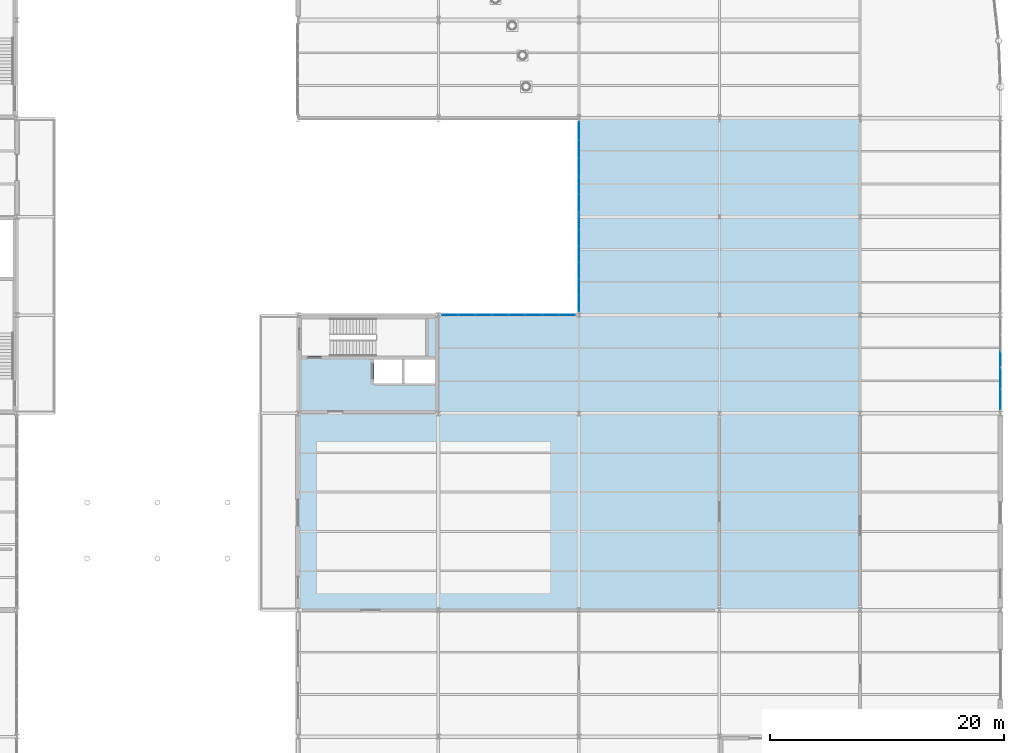
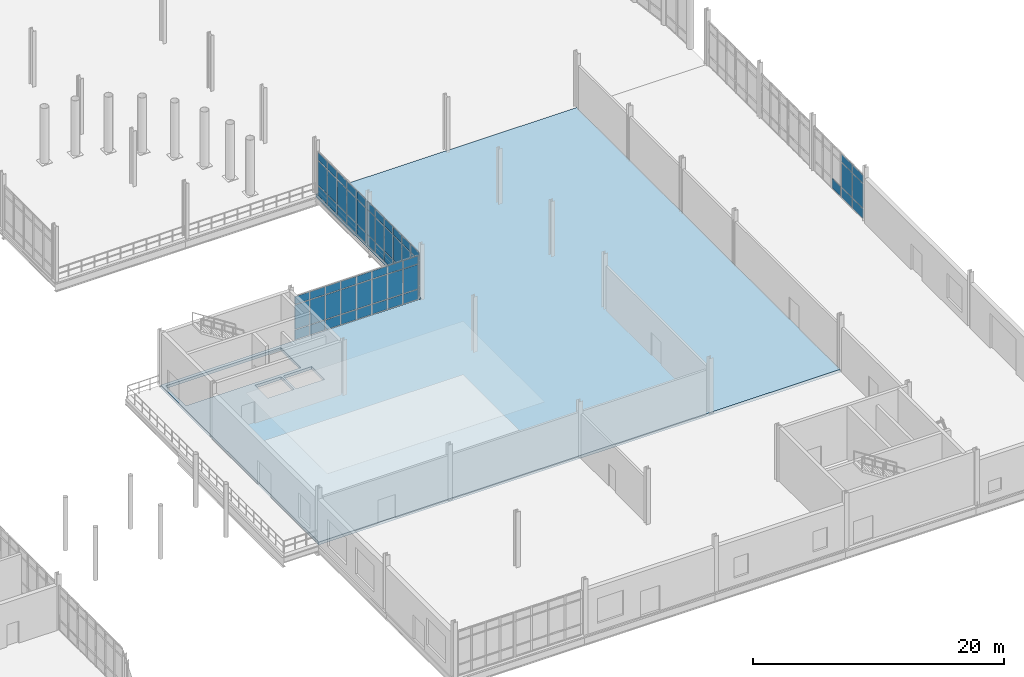
# One storey, part 90 of 111: 64 plates, 1 slab, 5 elements without a shape of their own.
"""IFC4 building model written with IfcOpenShell, lengths in metres."""

from ifc_helpers import new_model, si_unit, direction, frame, origin, origin_2d, place, context, subcontext, project, spatial, polyline, rectangle, outline, extrude, material, layer, layer_set, type_object, element, aggregate, save


model = new_model("IFC4")

# Units and contexts
model_context = context("Model", 3, precision=1e-05, world=origin(), true_north=direction((0.0, 1.0)))
body_context = subcontext(model_context, "Body", "Model", "MODEL_VIEW")
ifc_project = project(units=[si_unit("LENGTHUNIT", "METRE"), si_unit("AREAUNIT", "SQUARE_METRE"), si_unit("VOLUMEUNIT", "CUBIC_METRE"), si_unit("PLANEANGLEUNIT", "RADIAN"), si_unit("MASSUNIT", "GRAM", prefix="KILO"), si_unit("THERMODYNAMICTEMPERATUREUNIT", "KELVIN"), si_unit("POWERUNIT", "WATT")], contexts=[model_context])

# Site, building, storey
site_placement = place(None, origin())
site = spatial("IfcSite", under=ifc_project, at=site_placement, CompositionType="ELEMENT")
building_placement = place(site_placement, origin())
building = spatial("IfcBuilding", under=site, at=building_placement, Name="Tembeka Court Mobility Hub", CompositionType="ELEMENT")
storey_placement = place(building_placement, origin())
storey = spatial("IfcBuildingStorey", under=building, at=storey_placement, Name="L00", CompositionType="ELEMENT", Elevation=0.0)

# Curtain wall, plates
ifc_material_1 = material(Name="Anodised aluminium 6063-T6", Category="aluminium")
ifc_layer_1 = layer(ifc_material_1, 0.159912109375)
ifc_layer_set_1 = layer_set([ifc_layer_1], Name="Anodised aluminium 6063-T6")
curtain_wall_type_1 = type_object("IfcCurtainWallType", Name="CW-SYS04", PredefinedType="USERDEFINED", material=ifc_layer_set_1)
curtain_wall_1_placement = place(storey_placement, origin())
curtain_wall_1 = element("IfcCurtainWall", 1, at=curtain_wall_1_placement, inside=storey, type_object=curtain_wall_type_1, Name="Unitised curtain wall CW04 (CW-L00-095)", ObjectType="UNITISED GLAZING", PredefinedType="USERDEFINED")
ifc_material_2 = material(Name="Laminated solar-control low-E glass", Category="glass")
ifc_layer_2 = layer(ifc_material_2, 0.028076171875)
ifc_layer_set_2 = layer_set([ifc_layer_2], Name="Laminated solar-control low-E glass")
plate_type_1 = type_object("IfcPlateType", Name="PL-CW01", PredefinedType="CURTAIN_PANEL", material=ifc_layer_set_2)
plate_1_placement = place(storey_placement, frame((176.39990234375, 39.587158203125, 0.06494140625), z_axis=(0.0, 0.0, 1.0), x_axis=(0.0, 1.0, 0.0)))
plate_1 = element("IfcPlate", 2, at=plate_1_placement, type_object=plate_type_1, Name="CW04 panel 1.1", PredefinedType="CURTAIN_PANEL", context=body_context, shape_type="SweptSolid", body=[
    extrude(rectangle(XDim=1.6845703125, YDim=0.028076171875, at=origin_2d()), origin(), (0.0, 0.0, 1.0), 0.952392578125),
])
plate_2_placement = place(storey_placement, frame((176.39990234375, 39.587158203125, 1.08251953125), z_axis=(0.0, 0.0, 1.0), x_axis=(0.0, 1.0, 0.0)))
plate_2 = element("IfcPlate", 3, at=plate_2_placement, type_object=plate_type_1, Name="CW04 panel 1.2", PredefinedType="CURTAIN_PANEL", context=body_context, shape_type="SweptSolid", body=[
    extrude(rectangle(XDim=1.6845703125, YDim=0.028076171875, at=origin_2d()), origin(), (0.0, 0.0, 1.0), 2.3701171875),
])
plate_3_placement = place(storey_placement, frame((176.39990234375, 39.587158203125, 3.517578125), z_axis=(0.0, 0.0, 1.0), x_axis=(0.0, 1.0, 0.0)))
plate_3 = element("IfcPlate", 4, at=plate_3_placement, type_object=plate_type_1, Name="CW04 panel 1.3", PredefinedType="CURTAIN_PANEL", context=body_context, shape_type="SweptSolid", body=[
    extrude(rectangle(XDim=1.6845703125, YDim=0.028076171875, at=origin_2d()), origin(), (0.0, 0.0, 1.0), 0.75244140625),
])
plate_4_placement = place(storey_placement, frame((176.39990234375, 41.336669921875, 0.06494140625), z_axis=(0.0, 0.0, 1.0), x_axis=(0.0, 1.0, 0.0)))
plate_4 = element("IfcPlate", 5, at=plate_4_placement, type_object=plate_type_1, Name="CW04 panel 2.1", PredefinedType="CURTAIN_PANEL", context=body_context, shape_type="SweptSolid", body=[
    extrude(rectangle(XDim=1.6845703125, YDim=0.028076171875, at=origin_2d()), origin(), (0.0, 0.0, 1.0), 0.952392578125),
])
plate_5_placement = place(storey_placement, frame((176.39990234375, 41.336669921875, 1.08251953125), z_axis=(0.0, 0.0, 1.0), x_axis=(0.0, 1.0, 0.0)))
plate_5 = element("IfcPlate", 6, at=plate_5_placement, type_object=plate_type_1, Name="CW04 panel 2.2", PredefinedType="CURTAIN_PANEL", context=body_context, shape_type="SweptSolid", body=[
    extrude(rectangle(XDim=1.6845703125, YDim=0.028076171875, at=origin_2d()), origin(), (0.0, 0.0, 1.0), 2.3701171875),
])
plate_6_placement = place(storey_placement, frame((176.39990234375, 41.336669921875, 3.517578125), z_axis=(0.0, 0.0, 1.0), x_axis=(0.0, 1.0, 0.0)))
plate_6 = element("IfcPlate", 7, at=plate_6_placement, type_object=plate_type_1, Name="CW04 panel 2.3", PredefinedType="CURTAIN_PANEL", context=body_context, shape_type="SweptSolid", body=[
    extrude(rectangle(XDim=1.6845703125, YDim=0.028076171875, at=origin_2d()), origin(), (0.0, 0.0, 1.0), 0.75244140625),
])
aggregate(curtain_wall_1, [plate_1, plate_2, plate_3, plate_4, plate_5, plate_6])

ifc_layer_3 = layer(ifc_material_1, 0.159912109375)
ifc_layer_set_3 = layer_set([ifc_layer_3], Name="Anodised aluminium 6063-T6")
curtain_wall_type_2 = type_object("IfcCurtainWallType", Name="CW-SYS33", PredefinedType="USERDEFINED", material=ifc_layer_set_3)
curtain_wall_2_placement = place(storey_placement, origin())
curtain_wall_2 = element("IfcCurtainWall", 8, at=curtain_wall_2_placement, inside=storey, type_object=curtain_wall_type_2, Name="Unitised curtain wall CW33 (CW-L00-101)", ObjectType="UNITISED GLAZING", PredefinedType="USERDEFINED")
plate_7_placement = place(storey_placement, frame((129.4111328125, 46.800048828125, 0.06494140625), z_axis=(0.0, 0.0, 1.0), x_axis=(1.0, 0.0, 0.0)))
plate_7 = element("IfcPlate", 9, at=plate_7_placement, type_object=plate_type_1, Name="CW33 panel 1.1", PredefinedType="CURTAIN_PANEL", context=body_context, shape_type="SweptSolid", body=[
    extrude(rectangle(XDim=1.33251953125, YDim=0.028076171875, at=origin_2d()), origin(), (0.0, 0.0, 1.0), 0.952392578125),
])
plate_8_placement = place(storey_placement, frame((129.4111328125, 46.800048828125, 1.08251953125), z_axis=(0.0, 0.0, 1.0), x_axis=(1.0, 0.0, 0.0)))
plate_8 = element("IfcPlate", 10, at=plate_8_placement, type_object=plate_type_1, Name="CW33 panel 1.2", PredefinedType="CURTAIN_PANEL", context=body_context, shape_type="SweptSolid", body=[
    extrude(rectangle(XDim=1.33251953125, YDim=0.028076171875, at=origin_2d()), origin(), (0.0, 0.0, 1.0), 2.3701171875),
])
plate_9_placement = place(storey_placement, frame((129.4111328125, 46.800048828125, 3.517578125), z_axis=(0.0, 0.0, 1.0), x_axis=(1.0, 0.0, 0.0)))
plate_9 = element("IfcPlate", 11, at=plate_9_placement, type_object=plate_type_1, Name="CW33 panel 1.3", PredefinedType="CURTAIN_PANEL", context=body_context, shape_type="SweptSolid", body=[
    extrude(rectangle(XDim=1.33251953125, YDim=0.028076171875, at=origin_2d()), origin(), (0.0, 0.0, 1.0), 0.75244140625),
])
plate_10_placement = place(storey_placement, frame((130.824951171875, 46.800048828125, 0.06494140625), z_axis=(0.0, 0.0, 1.0), x_axis=(1.0, 0.0, 0.0)))
plate_10 = element("IfcPlate", 12, at=plate_10_placement, type_object=plate_type_1, Name="CW33 panel 2.1", PredefinedType="CURTAIN_PANEL", context=body_context, shape_type="SweptSolid", body=[
    extrude(rectangle(XDim=1.364990234375, YDim=0.028076171875, at=origin_2d()), origin(), (0.0, 0.0, 1.0), 0.952392578125),
])
plate_11_placement = place(storey_placement, frame((130.824951171875, 46.800048828125, 1.08251953125), z_axis=(0.0, 0.0, 1.0), x_axis=(1.0, 0.0, 0.0)))
plate_11 = element("IfcPlate", 13, at=plate_11_placement, type_object=plate_type_1, Name="CW33 panel 2.2", PredefinedType="CURTAIN_PANEL", context=body_context, shape_type="SweptSolid", body=[
    extrude(rectangle(XDim=1.364990234375, YDim=0.028076171875, at=origin_2d()), origin(), (0.0, 0.0, 1.0), 2.3701171875),
])
plate_12_placement = place(storey_placement, frame((130.824951171875, 46.800048828125, 3.517578125), z_axis=(0.0, 0.0, 1.0), x_axis=(1.0, 0.0, 0.0)))
plate_12 = element("IfcPlate", 14, at=plate_12_placement, type_object=plate_type_1, Name="CW33 panel 2.3", PredefinedType="CURTAIN_PANEL", context=body_context, shape_type="SweptSolid", body=[
    extrude(rectangle(XDim=1.364990234375, YDim=0.028076171875, at=origin_2d()), origin(), (0.0, 0.0, 1.0), 0.75244140625),
])
plate_13_placement = place(storey_placement, frame((132.2548828125, 46.800048828125, 0.06494140625), z_axis=(0.0, 0.0, 1.0), x_axis=(1.0, 0.0, 0.0)))
plate_13 = element("IfcPlate", 15, at=plate_13_placement, type_object=plate_type_1, Name="CW33 panel 3.1", PredefinedType="CURTAIN_PANEL", context=body_context, shape_type="SweptSolid", body=[
    extrude(rectangle(XDim=1.364990234375, YDim=0.028076171875, at=origin_2d()), origin(), (0.0, 0.0, 1.0), 0.952392578125),
])
plate_14_placement = place(storey_placement, frame((132.2548828125, 46.800048828125, 1.08251953125), z_axis=(0.0, 0.0, 1.0), x_axis=(1.0, 0.0, 0.0)))
plate_14 = element("IfcPlate", 16, at=plate_14_placement, type_object=plate_type_1, Name="CW33 panel 3.2", PredefinedType="CURTAIN_PANEL", context=body_context, shape_type="SweptSolid", body=[
    extrude(rectangle(XDim=1.364990234375, YDim=0.028076171875, at=origin_2d()), origin(), (0.0, 0.0, 1.0), 2.3701171875),
])
plate_15_placement = place(storey_placement, frame((132.2548828125, 46.800048828125, 3.517578125), z_axis=(0.0, 0.0, 1.0), x_axis=(1.0, 0.0, 0.0)))
plate_15 = element("IfcPlate", 17, at=plate_15_placement, type_object=plate_type_1, Name="CW33 panel 3.3", PredefinedType="CURTAIN_PANEL", context=body_context, shape_type="SweptSolid", body=[
    extrude(rectangle(XDim=1.364990234375, YDim=0.028076171875, at=origin_2d()), origin(), (0.0, 0.0, 1.0), 0.75244140625),
])
plate_16_placement = place(storey_placement, frame((133.68505859375, 46.800048828125, 0.06494140625), z_axis=(0.0, 0.0, 1.0), x_axis=(1.0, 0.0, 0.0)))
plate_16 = element("IfcPlate", 18, at=plate_16_placement, type_object=plate_type_1, Name="CW33 panel 4.1", PredefinedType="CURTAIN_PANEL", context=body_context, shape_type="SweptSolid", body=[
    extrude(rectangle(XDim=1.364990234375, YDim=0.028076171875, at=origin_2d()), origin(), (0.0, 0.0, 1.0), 0.952392578125),
])
plate_17_placement = place(storey_placement, frame((133.68505859375, 46.800048828125, 1.08251953125), z_axis=(0.0, 0.0, 1.0), x_axis=(1.0, 0.0, 0.0)))
plate_17 = element("IfcPlate", 19, at=plate_17_placement, type_object=plate_type_1, Name="CW33 panel 4.2", PredefinedType="CURTAIN_PANEL", context=body_context, shape_type="SweptSolid", body=[
    extrude(rectangle(XDim=1.364990234375, YDim=0.028076171875, at=origin_2d()), origin(), (0.0, 0.0, 1.0), 2.3701171875),
])
plate_18_placement = place(storey_placement, frame((133.68505859375, 46.800048828125, 3.517578125), z_axis=(0.0, 0.0, 1.0), x_axis=(1.0, 0.0, 0.0)))
plate_18 = element("IfcPlate", 20, at=plate_18_placement, type_object=plate_type_1, Name="CW33 panel 4.3", PredefinedType="CURTAIN_PANEL", context=body_context, shape_type="SweptSolid", body=[
    extrude(rectangle(XDim=1.364990234375, YDim=0.028076171875, at=origin_2d()), origin(), (0.0, 0.0, 1.0), 0.75244140625),
])
plate_19_placement = place(storey_placement, frame((135.114990234375, 46.800048828125, 0.06494140625), z_axis=(0.0, 0.0, 1.0), x_axis=(1.0, 0.0, 0.0)))
plate_19 = element("IfcPlate", 21, at=plate_19_placement, type_object=plate_type_1, Name="CW33 panel 5.1", PredefinedType="CURTAIN_PANEL", context=body_context, shape_type="SweptSolid", body=[
    extrude(rectangle(XDim=1.364990234375, YDim=0.028076171875, at=origin_2d()), origin(), (0.0, 0.0, 1.0), 0.952392578125),
])
plate_20_placement = place(storey_placement, frame((135.114990234375, 46.800048828125, 1.08251953125), z_axis=(0.0, 0.0, 1.0), x_axis=(1.0, 0.0, 0.0)))
plate_20 = element("IfcPlate", 22, at=plate_20_placement, type_object=plate_type_1, Name="CW33 panel 5.2", PredefinedType="CURTAIN_PANEL", context=body_context, shape_type="SweptSolid", body=[
    extrude(rectangle(XDim=1.364990234375, YDim=0.028076171875, at=origin_2d()), origin(), (0.0, 0.0, 1.0), 2.3701171875),
])
plate_21_placement = place(storey_placement, frame((135.114990234375, 46.800048828125, 3.517578125), z_axis=(0.0, 0.0, 1.0), x_axis=(1.0, 0.0, 0.0)))
plate_21 = element("IfcPlate", 23, at=plate_21_placement, type_object=plate_type_1, Name="CW33 panel 5.3", PredefinedType="CURTAIN_PANEL", context=body_context, shape_type="SweptSolid", body=[
    extrude(rectangle(XDim=1.364990234375, YDim=0.028076171875, at=origin_2d()), origin(), (0.0, 0.0, 1.0), 0.75244140625),
])
plate_22_placement = place(storey_placement, frame((136.544921875, 46.800048828125, 0.06494140625), z_axis=(0.0, 0.0, 1.0), x_axis=(1.0, 0.0, 0.0)))
plate_22 = element("IfcPlate", 24, at=plate_22_placement, type_object=plate_type_1, Name="CW33 panel 6.1", PredefinedType="CURTAIN_PANEL", context=body_context, shape_type="SweptSolid", body=[
    extrude(rectangle(XDim=1.364990234375, YDim=0.028076171875, at=origin_2d()), origin(), (0.0, 0.0, 1.0), 0.952392578125),
])
plate_23_placement = place(storey_placement, frame((136.544921875, 46.800048828125, 1.08251953125), z_axis=(0.0, 0.0, 1.0), x_axis=(1.0, 0.0, 0.0)))
plate_23 = element("IfcPlate", 25, at=plate_23_placement, type_object=plate_type_1, Name="CW33 panel 6.2", PredefinedType="CURTAIN_PANEL", context=body_context, shape_type="SweptSolid", body=[
    extrude(rectangle(XDim=1.364990234375, YDim=0.028076171875, at=origin_2d()), origin(), (0.0, 0.0, 1.0), 2.3701171875),
])
plate_24_placement = place(storey_placement, frame((136.544921875, 46.800048828125, 3.517578125), z_axis=(0.0, 0.0, 1.0), x_axis=(1.0, 0.0, 0.0)))
plate_24 = element("IfcPlate", 26, at=plate_24_placement, type_object=plate_type_1, Name="CW33 panel 6.3", PredefinedType="CURTAIN_PANEL", context=body_context, shape_type="SweptSolid", body=[
    extrude(rectangle(XDim=1.364990234375, YDim=0.028076171875, at=origin_2d()), origin(), (0.0, 0.0, 1.0), 0.75244140625),
])
plate_25_placement = place(storey_placement, frame((137.97509765625, 46.800048828125, 0.06494140625), z_axis=(0.0, 0.0, 1.0), x_axis=(1.0, 0.0, 0.0)))
plate_25 = element("IfcPlate", 27, at=plate_25_placement, type_object=plate_type_1, Name="CW33 panel 7.1", PredefinedType="CURTAIN_PANEL", context=body_context, shape_type="SweptSolid", body=[
    extrude(rectangle(XDim=1.364990234375, YDim=0.028076171875, at=origin_2d()), origin(), (0.0, 0.0, 1.0), 0.952392578125),
])
plate_26_placement = place(storey_placement, frame((137.97509765625, 46.800048828125, 1.08251953125), z_axis=(0.0, 0.0, 1.0), x_axis=(1.0, 0.0, 0.0)))
plate_26 = element("IfcPlate", 28, at=plate_26_placement, type_object=plate_type_1, Name="CW33 panel 7.2", PredefinedType="CURTAIN_PANEL", context=body_context, shape_type="SweptSolid", body=[
    extrude(rectangle(XDim=1.364990234375, YDim=0.028076171875, at=origin_2d()), origin(), (0.0, 0.0, 1.0), 2.3701171875),
])
plate_27_placement = place(storey_placement, frame((137.97509765625, 46.800048828125, 3.517578125), z_axis=(0.0, 0.0, 1.0), x_axis=(1.0, 0.0, 0.0)))
plate_27 = element("IfcPlate", 29, at=plate_27_placement, type_object=plate_type_1, Name="CW33 panel 7.3", PredefinedType="CURTAIN_PANEL", context=body_context, shape_type="SweptSolid", body=[
    extrude(rectangle(XDim=1.364990234375, YDim=0.028076171875, at=origin_2d()), origin(), (0.0, 0.0, 1.0), 0.75244140625),
])
plate_28_placement = place(storey_placement, frame((139.388671875, 46.800048828125, 0.06494140625), z_axis=(0.0, 0.0, 1.0), x_axis=(1.0, 0.0, 0.0)))
plate_28 = element("IfcPlate", 30, at=plate_28_placement, type_object=plate_type_1, Name="CW33 panel 8.1", PredefinedType="CURTAIN_PANEL", context=body_context, shape_type="SweptSolid", body=[
    extrude(rectangle(XDim=1.33251953125, YDim=0.028076171875, at=origin_2d()), origin(), (0.0, 0.0, 1.0), 0.952392578125),
])
plate_29_placement = place(storey_placement, frame((139.388671875, 46.800048828125, 1.08251953125), z_axis=(0.0, 0.0, 1.0), x_axis=(1.0, 0.0, 0.0)))
plate_29 = element("IfcPlate", 31, at=plate_29_placement, type_object=plate_type_1, Name="CW33 panel 8.2", PredefinedType="CURTAIN_PANEL", context=body_context, shape_type="SweptSolid", body=[
    extrude(rectangle(XDim=1.33251953125, YDim=0.028076171875, at=origin_2d()), origin(), (0.0, 0.0, 1.0), 2.3701171875),
])
plate_30_placement = place(storey_placement, frame((139.388671875, 46.800048828125, 3.517578125), z_axis=(0.0, 0.0, 1.0), x_axis=(1.0, 0.0, 0.0)))
plate_30 = element("IfcPlate", 32, at=plate_30_placement, type_object=plate_type_1, Name="CW33 panel 8.3", PredefinedType="CURTAIN_PANEL", context=body_context, shape_type="SweptSolid", body=[
    extrude(rectangle(XDim=1.33251953125, YDim=0.028076171875, at=origin_2d()), origin(), (0.0, 0.0, 1.0), 0.75244140625),
])
aggregate(curtain_wall_2, [plate_7, plate_8, plate_9, plate_10, plate_11, plate_12, plate_13, plate_14, plate_15, plate_16, plate_17, plate_18, plate_19, plate_20, plate_21, plate_22, plate_23, plate_24, plate_25, plate_26, plate_27, plate_28, plate_29, plate_30])

ifc_layer_4 = layer(ifc_material_1, 0.159912109375)
ifc_layer_set_4 = layer_set([ifc_layer_4], Name="Anodised aluminium 6063-T6")
curtain_wall_type_3 = type_object("IfcCurtainWallType", Name="CW-SYS34", PredefinedType="USERDEFINED", material=ifc_layer_set_4)
curtain_wall_3_placement = place(storey_placement, origin())
curtain_wall_3 = element("IfcCurtainWall", 33, at=curtain_wall_3_placement, inside=storey, type_object=curtain_wall_type_3, Name="Unitised curtain wall CW34 (CW-L00-102)", ObjectType="UNITISED GLAZING", PredefinedType="USERDEFINED")
plate_31_placement = place(storey_placement, frame((140.39990234375, 47.79931640625, 0.06494140625), z_axis=(0.0, 0.0, 1.0), x_axis=(0.0, 1.0, 0.0)))
plate_31 = element("IfcPlate", 34, at=plate_31_placement, type_object=plate_type_1, Name="CW34 panel 1.1", PredefinedType="CURTAIN_PANEL", context=body_context, shape_type="SweptSolid", body=[
    extrude(rectangle(XDim=1.30859375, YDim=0.028076171875, at=origin_2d()), origin(), (0.0, 0.0, 1.0), 0.952392578125),
])
plate_32_placement = place(storey_placement, frame((140.39990234375, 47.79931640625, 1.08251953125), z_axis=(0.0, 0.0, 1.0), x_axis=(0.0, 1.0, 0.0)))
plate_32 = element("IfcPlate", 35, at=plate_32_placement, type_object=plate_type_1, Name="CW34 panel 1.2", PredefinedType="CURTAIN_PANEL", context=body_context, shape_type="SweptSolid", body=[
    extrude(rectangle(XDim=1.30859375, YDim=0.028076171875, at=origin_2d()), origin(), (0.0, 0.0, 1.0), 2.3701171875),
])
plate_33_placement = place(storey_placement, frame((140.39990234375, 47.79931640625, 3.517578125), z_axis=(0.0, 0.0, 1.0), x_axis=(0.0, 1.0, 0.0)))
plate_33 = element("IfcPlate", 36, at=plate_33_placement, type_object=plate_type_1, Name="CW34 panel 1.3", PredefinedType="CURTAIN_PANEL", context=body_context, shape_type="SweptSolid", body=[
    extrude(rectangle(XDim=1.30859375, YDim=0.028076171875, at=origin_2d()), origin(), (0.0, 0.0, 1.0), 0.75244140625),
])
plate_34_placement = place(storey_placement, frame((140.39990234375, 49.18896484375, 0.06494140625), z_axis=(0.0, 0.0, 1.0), x_axis=(0.0, 1.0, 0.0)))
plate_34 = element("IfcPlate", 37, at=plate_34_placement, type_object=plate_type_1, Name="CW34 panel 2.1", PredefinedType="CURTAIN_PANEL", context=body_context, shape_type="SweptSolid", body=[
    extrude(rectangle(XDim=1.341064453125, YDim=0.028076171875, at=origin_2d()), origin(), (0.0, 0.0, 1.0), 0.952392578125),
])
plate_35_placement = place(storey_placement, frame((140.39990234375, 49.18896484375, 1.08251953125), z_axis=(0.0, 0.0, 1.0), x_axis=(0.0, 1.0, 0.0)))
plate_35 = element("IfcPlate", 38, at=plate_35_placement, type_object=plate_type_1, Name="CW34 panel 2.2", PredefinedType="CURTAIN_PANEL", context=body_context, shape_type="SweptSolid", body=[
    extrude(rectangle(XDim=1.341064453125, YDim=0.028076171875, at=origin_2d()), origin(), (0.0, 0.0, 1.0), 2.3701171875),
])
plate_36_placement = place(storey_placement, frame((140.39990234375, 49.18896484375, 3.517578125), z_axis=(0.0, 0.0, 1.0), x_axis=(0.0, 1.0, 0.0)))
plate_36 = element("IfcPlate", 39, at=plate_36_placement, type_object=plate_type_1, Name="CW34 panel 2.3", PredefinedType="CURTAIN_PANEL", context=body_context, shape_type="SweptSolid", body=[
    extrude(rectangle(XDim=1.341064453125, YDim=0.028076171875, at=origin_2d()), origin(), (0.0, 0.0, 1.0), 0.75244140625),
])
plate_37_placement = place(storey_placement, frame((140.39990234375, 50.594970703125, 0.06494140625), z_axis=(0.0, 0.0, 1.0), x_axis=(0.0, 1.0, 0.0)))
plate_37 = element("IfcPlate", 40, at=plate_37_placement, type_object=plate_type_1, Name="CW34 panel 3.1", PredefinedType="CURTAIN_PANEL", context=body_context, shape_type="SweptSolid", body=[
    extrude(rectangle(XDim=1.341064453125, YDim=0.028076171875, at=origin_2d()), origin(), (0.0, 0.0, 1.0), 0.952392578125),
])
plate_38_placement = place(storey_placement, frame((140.39990234375, 50.594970703125, 1.08251953125), z_axis=(0.0, 0.0, 1.0), x_axis=(0.0, 1.0, 0.0)))
plate_38 = element("IfcPlate", 41, at=plate_38_placement, type_object=plate_type_1, Name="CW34 panel 3.2", PredefinedType="CURTAIN_PANEL", context=body_context, shape_type="SweptSolid", body=[
    extrude(rectangle(XDim=1.341064453125, YDim=0.028076171875, at=origin_2d()), origin(), (0.0, 0.0, 1.0), 2.3701171875),
])
plate_39_placement = place(storey_placement, frame((140.39990234375, 50.594970703125, 3.517578125), z_axis=(0.0, 0.0, 1.0), x_axis=(0.0, 1.0, 0.0)))
plate_39 = element("IfcPlate", 42, at=plate_39_placement, type_object=plate_type_1, Name="CW34 panel 3.3", PredefinedType="CURTAIN_PANEL", context=body_context, shape_type="SweptSolid", body=[
    extrude(rectangle(XDim=1.341064453125, YDim=0.028076171875, at=origin_2d()), origin(), (0.0, 0.0, 1.0), 0.75244140625),
])
plate_40_placement = place(storey_placement, frame((140.39990234375, 52.0009765625, 0.06494140625), z_axis=(0.0, 0.0, 1.0), x_axis=(0.0, 1.0, 0.0)))
plate_40 = element("IfcPlate", 43, at=plate_40_placement, type_object=plate_type_1, Name="CW34 panel 4.1", PredefinedType="CURTAIN_PANEL", context=body_context, shape_type="SweptSolid", body=[
    extrude(rectangle(XDim=1.341064453125, YDim=0.028076171875, at=origin_2d()), origin(), (0.0, 0.0, 1.0), 0.952392578125),
])
plate_41_placement = place(storey_placement, frame((140.39990234375, 52.0009765625, 1.08251953125), z_axis=(0.0, 0.0, 1.0), x_axis=(0.0, 1.0, 0.0)))
plate_41 = element("IfcPlate", 44, at=plate_41_placement, type_object=plate_type_1, Name="CW34 panel 4.2", PredefinedType="CURTAIN_PANEL", context=body_context, shape_type="SweptSolid", body=[
    extrude(rectangle(XDim=1.341064453125, YDim=0.028076171875, at=origin_2d()), origin(), (0.0, 0.0, 1.0), 2.3701171875),
])
plate_42_placement = place(storey_placement, frame((140.39990234375, 52.0009765625, 3.517578125), z_axis=(0.0, 0.0, 1.0), x_axis=(0.0, 1.0, 0.0)))
plate_42 = element("IfcPlate", 45, at=plate_42_placement, type_object=plate_type_1, Name="CW34 panel 4.3", PredefinedType="CURTAIN_PANEL", context=body_context, shape_type="SweptSolid", body=[
    extrude(rectangle(XDim=1.341064453125, YDim=0.028076171875, at=origin_2d()), origin(), (0.0, 0.0, 1.0), 0.75244140625),
])
plate_43_placement = place(storey_placement, frame((140.39990234375, 53.406982421875, 0.06494140625), z_axis=(0.0, 0.0, 1.0), x_axis=(0.0, 1.0, 0.0)))
plate_43 = element("IfcPlate", 46, at=plate_43_placement, type_object=plate_type_1, Name="CW34 panel 5.1", PredefinedType="CURTAIN_PANEL", context=body_context, shape_type="SweptSolid", body=[
    extrude(rectangle(XDim=1.341064453125, YDim=0.028076171875, at=origin_2d()), origin(), (0.0, 0.0, 1.0), 0.952392578125),
])
plate_44_placement = place(storey_placement, frame((140.39990234375, 53.406982421875, 1.08251953125), z_axis=(0.0, 0.0, 1.0), x_axis=(0.0, 1.0, 0.0)))
plate_44 = element("IfcPlate", 47, at=plate_44_placement, type_object=plate_type_1, Name="CW34 panel 5.2", PredefinedType="CURTAIN_PANEL", context=body_context, shape_type="SweptSolid", body=[
    extrude(rectangle(XDim=1.341064453125, YDim=0.028076171875, at=origin_2d()), origin(), (0.0, 0.0, 1.0), 2.3701171875),
])
plate_45_placement = place(storey_placement, frame((140.39990234375, 53.406982421875, 3.517578125), z_axis=(0.0, 0.0, 1.0), x_axis=(0.0, 1.0, 0.0)))
plate_45 = element("IfcPlate", 48, at=plate_45_placement, type_object=plate_type_1, Name="CW34 panel 5.3", PredefinedType="CURTAIN_PANEL", context=body_context, shape_type="SweptSolid", body=[
    extrude(rectangle(XDim=1.341064453125, YDim=0.028076171875, at=origin_2d()), origin(), (0.0, 0.0, 1.0), 0.75244140625),
])
plate_46_placement = place(storey_placement, frame((140.39990234375, 54.796630859375, 0.06494140625), z_axis=(0.0, 0.0, 1.0), x_axis=(0.0, 1.0, 0.0)))
plate_46 = element("IfcPlate", 49, at=plate_46_placement, type_object=plate_type_1, Name="CW34 panel 6.1", PredefinedType="CURTAIN_PANEL", context=body_context, shape_type="SweptSolid", body=[
    extrude(rectangle(XDim=1.30859375, YDim=0.028076171875, at=origin_2d()), origin(), (0.0, 0.0, 1.0), 0.952392578125),
])
plate_47_placement = place(storey_placement, frame((140.39990234375, 54.796630859375, 1.08251953125), z_axis=(0.0, 0.0, 1.0), x_axis=(0.0, 1.0, 0.0)))
plate_47 = element("IfcPlate", 50, at=plate_47_placement, type_object=plate_type_1, Name="CW34 panel 6.2", PredefinedType="CURTAIN_PANEL", context=body_context, shape_type="SweptSolid", body=[
    extrude(rectangle(XDim=1.30859375, YDim=0.028076171875, at=origin_2d()), origin(), (0.0, 0.0, 1.0), 2.3701171875),
])
plate_48_placement = place(storey_placement, frame((140.39990234375, 54.796630859375, 3.517578125), z_axis=(0.0, 0.0, 1.0), x_axis=(0.0, 1.0, 0.0)))
plate_48 = element("IfcPlate", 51, at=plate_48_placement, type_object=plate_type_1, Name="CW34 panel 6.3", PredefinedType="CURTAIN_PANEL", context=body_context, shape_type="SweptSolid", body=[
    extrude(rectangle(XDim=1.30859375, YDim=0.028076171875, at=origin_2d()), origin(), (0.0, 0.0, 1.0), 0.75244140625),
])
aggregate(curtain_wall_3, [plate_31, plate_32, plate_33, plate_34, plate_35, plate_36, plate_37, plate_38, plate_39, plate_40, plate_41, plate_42, plate_43, plate_44, plate_45, plate_46, plate_47, plate_48])

ifc_layer_5 = layer(ifc_material_1, 0.159912109375)
ifc_layer_set_5 = layer_set([ifc_layer_5], Name="Anodised aluminium 6063-T6")
curtain_wall_type_4 = type_object("IfcCurtainWallType", Name="CW-SYS35", PredefinedType="USERDEFINED", material=ifc_layer_set_5)
curtain_wall_4_placement = place(storey_placement, origin())
curtain_wall_4 = element("IfcCurtainWall", 52, at=curtain_wall_4_placement, inside=storey, type_object=curtain_wall_type_4, Name="Unitised curtain wall CW35 (CW-L00-103)", ObjectType="UNITISED GLAZING", PredefinedType="USERDEFINED")
plate_49_placement = place(storey_placement, frame((140.39990234375, 56.3486328125, 0.06494140625), z_axis=(0.0, 0.0, 1.0), x_axis=(0.0, 1.0, 0.0)))
plate_49 = element("IfcPlate", 53, at=plate_49_placement, type_object=plate_type_1, Name="CW35 panel 1.1", PredefinedType="CURTAIN_PANEL", context=body_context, shape_type="SweptSolid", body=[
    extrude(rectangle(XDim=1.455322265625, YDim=0.028076171875, at=origin_2d()), origin(), (0.0, 0.0, 1.0), 0.952392578125),
])
plate_50_placement = place(storey_placement, frame((140.39990234375, 56.3486328125, 1.08251953125), z_axis=(0.0, 0.0, 1.0), x_axis=(0.0, 1.0, 0.0)))
plate_50 = element("IfcPlate", 54, at=plate_50_placement, type_object=plate_type_1, Name="CW35 panel 1.2", PredefinedType="CURTAIN_PANEL", context=body_context, shape_type="SweptSolid", body=[
    extrude(rectangle(XDim=1.455322265625, YDim=0.028076171875, at=origin_2d()), origin(), (0.0, 0.0, 1.0), 2.3701171875),
])
plate_51_placement = place(storey_placement, frame((140.39990234375, 56.3486328125, 3.517578125), z_axis=(0.0, 0.0, 1.0), x_axis=(0.0, 1.0, 0.0)))
plate_51 = element("IfcPlate", 55, at=plate_51_placement, type_object=plate_type_1, Name="CW35 panel 1.3", PredefinedType="CURTAIN_PANEL", context=body_context, shape_type="SweptSolid", body=[
    extrude(rectangle(XDim=1.455322265625, YDim=0.028076171875, at=origin_2d()), origin(), (0.0, 0.0, 1.0), 0.75244140625),
])
plate_52_placement = place(storey_placement, frame((140.39990234375, 57.88525390625, 0.06494140625), z_axis=(0.0, 0.0, 1.0), x_axis=(0.0, 1.0, 0.0)))
plate_52 = element("IfcPlate", 56, at=plate_52_placement, type_object=plate_type_1, Name="CW35 panel 2.1", PredefinedType="CURTAIN_PANEL", context=body_context, shape_type="SweptSolid", body=[
    extrude(rectangle(XDim=1.48779296875, YDim=0.028076171875, at=origin_2d()), origin(), (0.0, 0.0, 1.0), 0.952392578125),
])
plate_53_placement = place(storey_placement, frame((140.39990234375, 57.88525390625, 1.08251953125), z_axis=(0.0, 0.0, 1.0), x_axis=(0.0, 1.0, 0.0)))
plate_53 = element("IfcPlate", 57, at=plate_53_placement, type_object=plate_type_1, Name="CW35 panel 2.2", PredefinedType="CURTAIN_PANEL", context=body_context, shape_type="SweptSolid", body=[
    extrude(rectangle(XDim=1.48779296875, YDim=0.028076171875, at=origin_2d()), origin(), (0.0, 0.0, 1.0), 2.3701171875),
])
plate_54_placement = place(storey_placement, frame((140.39990234375, 57.88525390625, 3.517578125), z_axis=(0.0, 0.0, 1.0), x_axis=(0.0, 1.0, 0.0)))
plate_54 = element("IfcPlate", 58, at=plate_54_placement, type_object=plate_type_1, Name="CW35 panel 2.3", PredefinedType="CURTAIN_PANEL", context=body_context, shape_type="SweptSolid", body=[
    extrude(rectangle(XDim=1.48779296875, YDim=0.028076171875, at=origin_2d()), origin(), (0.0, 0.0, 1.0), 0.75244140625),
])
plate_55_placement = place(storey_placement, frame((140.39990234375, 59.43798828125, 0.06494140625), z_axis=(0.0, 0.0, 1.0), x_axis=(0.0, 1.0, 0.0)))
plate_55 = element("IfcPlate", 59, at=plate_55_placement, type_object=plate_type_1, Name="CW35 panel 3.1", PredefinedType="CURTAIN_PANEL", context=body_context, shape_type="SweptSolid", body=[
    extrude(rectangle(XDim=1.48779296875, YDim=0.028076171875, at=origin_2d()), origin(), (0.0, 0.0, 1.0), 0.952392578125),
])
plate_56_placement = place(storey_placement, frame((140.39990234375, 59.43798828125, 1.08251953125), z_axis=(0.0, 0.0, 1.0), x_axis=(0.0, 1.0, 0.0)))
plate_56 = element("IfcPlate", 60, at=plate_56_placement, type_object=plate_type_1, Name="CW35 panel 3.2", PredefinedType="CURTAIN_PANEL", context=body_context, shape_type="SweptSolid", body=[
    extrude(rectangle(XDim=1.48779296875, YDim=0.028076171875, at=origin_2d()), origin(), (0.0, 0.0, 1.0), 2.3701171875),
])
plate_57_placement = place(storey_placement, frame((140.39990234375, 59.43798828125, 3.517578125), z_axis=(0.0, 0.0, 1.0), x_axis=(0.0, 1.0, 0.0)))
plate_57 = element("IfcPlate", 61, at=plate_57_placement, type_object=plate_type_1, Name="CW35 panel 3.3", PredefinedType="CURTAIN_PANEL", context=body_context, shape_type="SweptSolid", body=[
    extrude(rectangle(XDim=1.48779296875, YDim=0.028076171875, at=origin_2d()), origin(), (0.0, 0.0, 1.0), 0.75244140625),
])
plate_58_placement = place(storey_placement, frame((140.39990234375, 60.99072265625, 0.06494140625), z_axis=(0.0, 0.0, 1.0), x_axis=(0.0, 1.0, 0.0)))
plate_58 = element("IfcPlate", 62, at=plate_58_placement, type_object=plate_type_1, Name="CW35 panel 4.1", PredefinedType="CURTAIN_PANEL", context=body_context, shape_type="SweptSolid", body=[
    extrude(rectangle(XDim=1.48779296875, YDim=0.028076171875, at=origin_2d()), origin(), (0.0, 0.0, 1.0), 0.952392578125),
])
plate_59_placement = place(storey_placement, frame((140.39990234375, 60.99072265625, 1.08251953125), z_axis=(0.0, 0.0, 1.0), x_axis=(0.0, 1.0, 0.0)))
plate_59 = element("IfcPlate", 63, at=plate_59_placement, type_object=plate_type_1, Name="CW35 panel 4.2", PredefinedType="CURTAIN_PANEL", context=body_context, shape_type="SweptSolid", body=[
    extrude(rectangle(XDim=1.48779296875, YDim=0.028076171875, at=origin_2d()), origin(), (0.0, 0.0, 1.0), 2.3701171875),
])
plate_60_placement = place(storey_placement, frame((140.39990234375, 60.99072265625, 3.517578125), z_axis=(0.0, 0.0, 1.0), x_axis=(0.0, 1.0, 0.0)))
plate_60 = element("IfcPlate", 64, at=plate_60_placement, type_object=plate_type_1, Name="CW35 panel 4.3", PredefinedType="CURTAIN_PANEL", context=body_context, shape_type="SweptSolid", body=[
    extrude(rectangle(XDim=1.48779296875, YDim=0.028076171875, at=origin_2d()), origin(), (0.0, 0.0, 1.0), 0.75244140625),
])
plate_61_placement = place(storey_placement, frame((140.39990234375, 62.52734375, 0.06494140625), z_axis=(0.0, 0.0, 1.0), x_axis=(0.0, 1.0, 0.0)))
plate_61 = element("IfcPlate", 65, at=plate_61_placement, type_object=plate_type_1, Name="CW35 panel 5.1", PredefinedType="CURTAIN_PANEL", context=body_context, shape_type="SweptSolid", body=[
    extrude(rectangle(XDim=1.455322265625, YDim=0.028076171875, at=origin_2d()), origin(), (0.0, 0.0, 1.0), 0.952392578125),
])
plate_62_placement = place(storey_placement, frame((140.39990234375, 62.52734375, 1.08251953125), z_axis=(0.0, 0.0, 1.0), x_axis=(0.0, 1.0, 0.0)))
plate_62 = element("IfcPlate", 66, at=plate_62_placement, type_object=plate_type_1, Name="CW35 panel 5.2", PredefinedType="CURTAIN_PANEL", context=body_context, shape_type="SweptSolid", body=[
    extrude(rectangle(XDim=1.455322265625, YDim=0.028076171875, at=origin_2d()), origin(), (0.0, 0.0, 1.0), 2.3701171875),
])
plate_63_placement = place(storey_placement, frame((140.39990234375, 62.52734375, 3.517578125), z_axis=(0.0, 0.0, 1.0), x_axis=(0.0, 1.0, 0.0)))
plate_63 = element("IfcPlate", 67, at=plate_63_placement, type_object=plate_type_1, Name="CW35 panel 5.3", PredefinedType="CURTAIN_PANEL", context=body_context, shape_type="SweptSolid", body=[
    extrude(rectangle(XDim=1.455322265625, YDim=0.028076171875, at=origin_2d()), origin(), (0.0, 0.0, 1.0), 0.75244140625),
])
aggregate(curtain_wall_4, [plate_49, plate_50, plate_51, plate_52, plate_53, plate_54, plate_55, plate_56, plate_57, plate_58, plate_59, plate_60, plate_61, plate_62, plate_63])

# Curtain wall, plate
ifc_layer_6 = layer(ifc_material_1, 0.159912109375)
ifc_layer_set_6 = layer_set([ifc_layer_6], Name="Anodised aluminium 6063-T6")
curtain_wall_type_5 = type_object("IfcCurtainWallType", Name="CW-SYS05", PredefinedType="USERDEFINED", material=ifc_layer_set_6)
curtain_wall_5_placement = place(storey_placement, origin())
curtain_wall_5 = element("IfcCurtainWall", 68, at=curtain_wall_5_placement, inside=storey, type_object=curtain_wall_type_5, Name="Unitised curtain wall CW05 (CW-L00-096)", ObjectType="UNITISED GLAZING", PredefinedType="USERDEFINED")
ifc_material_3 = material(Name="Insulated aluminium spandrel panel", Category="aluminium")
ifc_layer_7 = layer(ifc_material_3, 0.052001953125)
ifc_layer_set_7 = layer_set([ifc_layer_7], Name="Insulated aluminium spandrel panel")
plate_type_2 = type_object("IfcPlateType", Name="PL-CW02", PredefinedType="CURTAIN_PANEL", material=ifc_layer_set_7)
plate_64_placement = place(storey_placement, frame((176.39990234375, 43.00634765625, 0.06494140625), z_axis=(0.0, 0.0, 1.0), x_axis=(0.0, 1.0, 0.0)))
plate_64 = element("IfcPlate", 69, at=plate_64_placement, type_object=plate_type_2, Name="CW05 panel 1.1", PredefinedType="CURTAIN_PANEL", context=body_context, shape_type="SweptSolid", body=[
    extrude(rectangle(XDim=1.314453125, YDim=0.052001953125, at=origin_2d()), origin(), (0.0, 0.0, 1.0), 0.952392578125),
])
aggregate(curtain_wall_5, [plate_64])

# Slab
ifc_material_4 = material(Name="Concrete C40/50", Category="concrete")
ifc_layer_8 = layer(ifc_material_4, 0.280029296875)
ifc_layer_set_8 = layer_set([ifc_layer_8], Name="Concrete C40/50")
slab_type = type_object("IfcSlabType", Name="SL-FL01", PredefinedType="FLOOR", material=ifc_layer_set_8)
slab_placement = place(storey_placement, frame((0.0, 0.0, -0.280029296875)))
element("IfcSlab", 70, at=slab_placement, inside=storey, type_object=slab_type, Name="L00 glazed bicycle mobility hall slab", PredefinedType="FLOOR", context=body_context, shape_type="SweptSolid", body=[
    extrude(outline(polyline([(116.39990234375, 21.60009765625), (164.39990234375, 21.60009765625), (164.39990234375, 63.60009765625), (140.39990234375, 63.60009765625), (140.39990234375, 46.800048828125), (116.39990234375, 46.800048828125), (116.39990234375, 21.60009765625)]), holes=[polyline([(116.699951171875, 46.5), (127.300048828125, 46.5), (127.300048828125, 43.300048828125), (116.699951171875, 43.300048828125), (116.699951171875, 46.5)]), polyline([(122.89990234375, 43.0), (125.300048828125, 43.0), (125.300048828125, 40.949951171875), (122.89990234375, 40.949951171875), (122.89990234375, 43.0)]), polyline([(125.5, 43.0), (128.10009765625, 43.0), (128.10009765625, 40.949951171875), (125.5, 40.949951171875), (125.5, 43.0)])]), origin(), (0.0, 0.0, 1.0), 0.280029296875),
])

save(model, "model.ifc")
